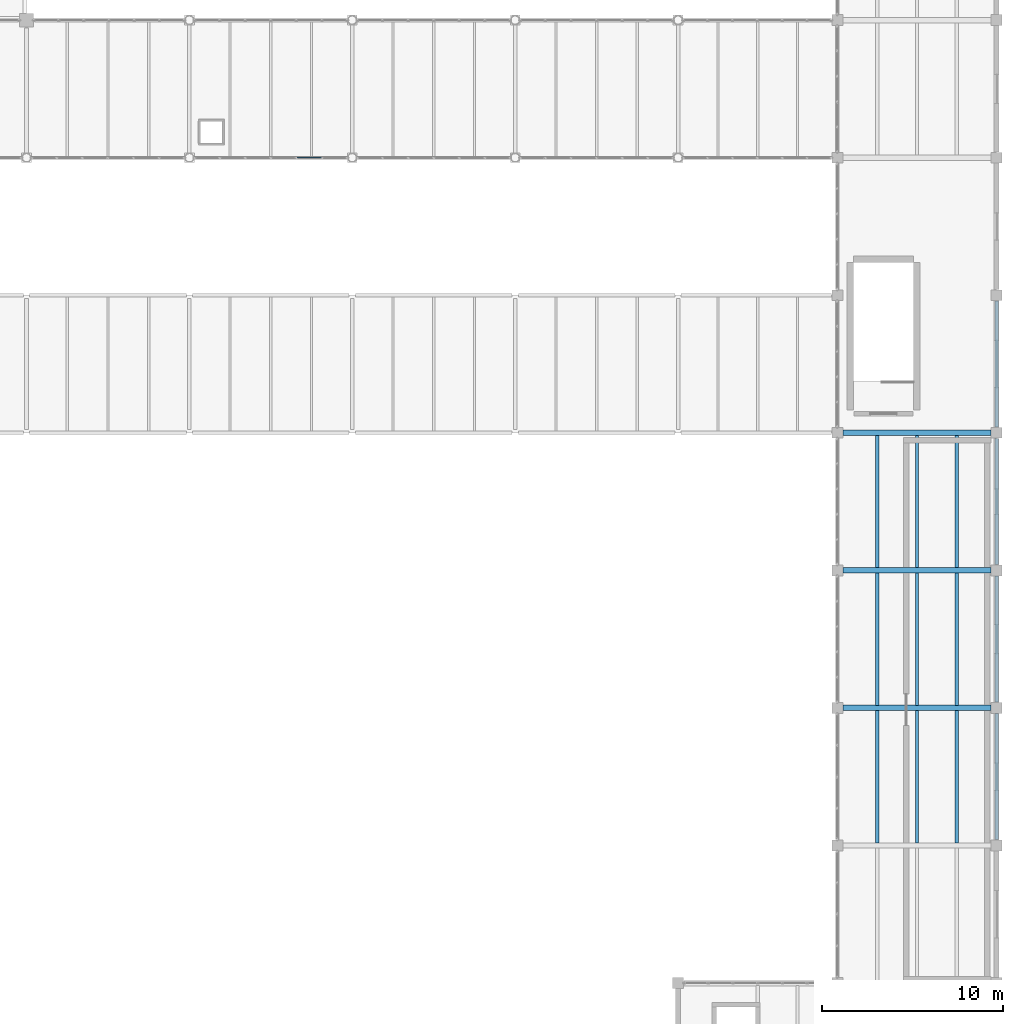
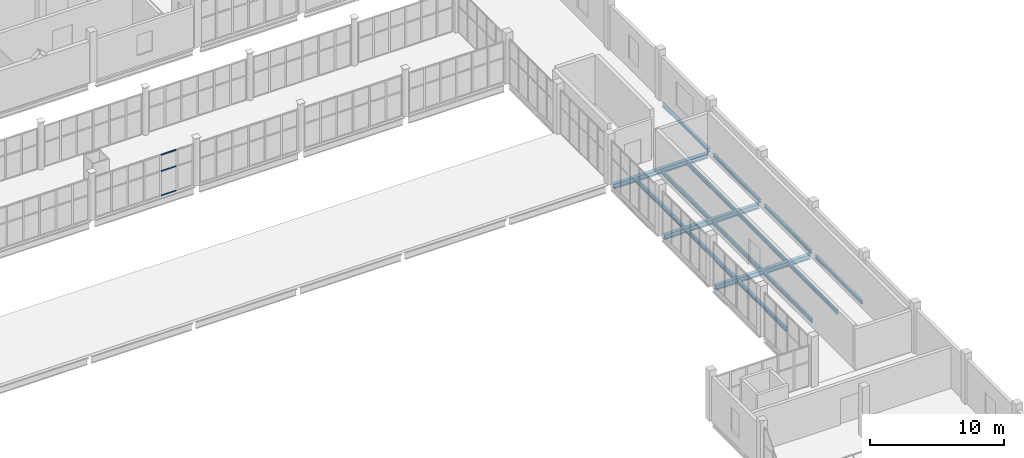
# One storey, part 79 of 136: 16 beams, 3 members, 1 element without a shape of its own.
"""IFC4 building model written with IfcOpenShell, lengths in metres."""

from ifc_helpers import new_model, si_unit, direction, frame, origin, origin_2d, place, context, subcontext, project, spatial, hollow_rectangle, i_section, extrude, material, material_profile, profile_set, type_object, element, aggregate, save


model = new_model("IFC4")

# Units and contexts
model_context = context("Model", 3, precision=1e-05, world=origin(), true_north=direction((0.0, 1.0)))
body_context = subcontext(model_context, "Body", "Model", "MODEL_VIEW")
ifc_project = project(units=[si_unit("LENGTHUNIT", "METRE"), si_unit("AREAUNIT", "SQUARE_METRE"), si_unit("VOLUMEUNIT", "CUBIC_METRE"), si_unit("PLANEANGLEUNIT", "RADIAN"), si_unit("MASSUNIT", "GRAM", prefix="KILO")], contexts=[model_context])

# Site, building, storey
site_placement = place(None, origin())
site = spatial("IfcSite", under=ifc_project, at=site_placement, CompositionType="ELEMENT")
building_placement = place(site_placement, origin())
building = spatial("IfcBuilding", under=site, at=building_placement, Name="Shengluoqiao Park Theatre", CompositionType="ELEMENT")
storey_placement = place(building_placement, frame((0.0, 0.0, 10.0)))
storey = spatial("IfcBuildingStorey", under=building, at=storey_placement, Name="L02", CompositionType="ELEMENT", Elevation=10.0)

# Curtain wall, members
ifc_material_1 = material(Name="Aluminium 6063-T6", Category="aluminium")
curtain_wall_type = type_object("IfcCurtainWallType", Name="ENV-CW-BRIDGE", PredefinedType="NOTDEFINED", material=ifc_material_1)
curtain_wall_placement = place(storey_placement, origin())
curtain_wall = element("IfcCurtainWall", 1, at=curtain_wall_placement, inside=storey, type_object=curtain_wall_type, Name="L02 Curtain Wall CWX-L02-0111", PredefinedType="NOTDEFINED")
ifc_material_profile_1 = material_profile(ifc_material_1, hollow_rectangle(XDim=0.06005859375, YDim=0.1201171875, WallThickness=0.00390625, InnerFilletRadius=0.00390625, OuterFilletRadius=0.008056640625, at=origin_2d()), Name="ALU TRANSOM 120x60x4")
ifc_profile_set_1 = profile_set([ifc_material_profile_1], Name="Aluminium 6063-T6")
member_type = type_object("IfcMemberType", Name="ENV-TRN-120", PredefinedType="USERDEFINED", material=ifc_profile_set_1)
member_1_placement = place(storey_placement, frame((127.343994140625, 68.39990234375, 0.030029296875), z_axis=(1.0, 0.0, 0.0), x_axis=(0.0, 1.0, 0.0)))
member_1 = element("IfcMember", 2, at=member_1_placement, type_object=member_type, Name="CW-03 transom 5.1", ObjectType="TRANSOM", PredefinedType="USERDEFINED", context=body_context, shape_type="SweptSolid", body=[
    extrude(hollow_rectangle(XDim=0.06005859375, YDim=0.1201171875, WallThickness=0.00390625, InnerFilletRadius=0.00390625, OuterFilletRadius=0.008056640625, at=origin_2d()), origin(), (0.0, 0.0, 1.0), 1.35400390625),
])
member_2_placement = place(storey_placement, frame((127.343994140625, 68.39990234375, 2.2509765625), z_axis=(1.0, 0.0, 0.0), x_axis=(0.0, 1.0, 0.0)))
member_2 = element("IfcMember", 3, at=member_2_placement, type_object=member_type, Name="CW-03 transom 5.2", ObjectType="TRANSOM", PredefinedType="USERDEFINED", context=body_context, shape_type="SweptSolid", body=[
    extrude(hollow_rectangle(XDim=0.06005859375, YDim=0.1201171875, WallThickness=0.00390625, InnerFilletRadius=0.00390625, OuterFilletRadius=0.008056640625, at=origin_2d()), origin(), (0.0, 0.0, 1.0), 1.35400390625),
])
member_3_placement = place(storey_placement, frame((127.343994140625, 68.39990234375, 3.721923828125), z_axis=(1.0, 0.0, 0.0), x_axis=(0.0, 1.0, 0.0)))
member_3 = element("IfcMember", 4, at=member_3_placement, type_object=member_type, Name="CW-03 transom 5.3", ObjectType="TRANSOM", PredefinedType="USERDEFINED", context=body_context, shape_type="SweptSolid", body=[
    extrude(hollow_rectangle(XDim=0.06005859375, YDim=0.1201171875, WallThickness=0.00390625, InnerFilletRadius=0.00390625, OuterFilletRadius=0.008056640625, at=origin_2d()), origin(), (0.0, 0.0, 1.0), 1.35400390625),
])
aggregate(curtain_wall, [member_1, member_2, member_3])

# Beams
ifc_material_2 = material(Name="Steel Q355", Category="steel")
ifc_material_profile_2 = material_profile(ifc_material_2, i_section(OverallWidth=0.199951171875, OverallDepth=0.2939453125, WebThickness=0.008056640625, FlangeThickness=0.011962890625, FilletRadius=0.01611328125, at=origin_2d()), Name="HM 294x200x8x12")
ifc_profile_set_2 = profile_set([ifc_material_profile_2], Name="Steel Q355")
beam_type_1 = type_object("IfcBeamType", Name="STR-BM-G-HM294", PredefinedType="BEAM", material=ifc_profile_set_2)
for number, where, z_axis, x_axis, name in (
    (5, (166.0, 30.718994140625, -0.386962890625), (0.0, 1.0, 0.0), (-1.0, 0.0, 0.0), "L02 Transverse Girder 01160"),
    (6, (166.0, 38.319091796875, -0.386962890625), (0.0, 1.0, 0.0), (-1.0, 0.0, 0.0), "L02 Transverse Girder 01161"),
):
    element("IfcBeam", number, at=place(storey_placement, frame(where, z_axis=z_axis, x_axis=x_axis)), inside=storey, type_object=beam_type_1, Name=name, PredefinedType="BEAM", context=body_context, shape_type="SweptSolid", body=[
        extrude(i_section(OverallWidth=0.199951171875, OverallDepth=0.2939453125, WebThickness=0.008056640625, FlangeThickness=0.011962890625, FilletRadius=0.01611328125, at=origin_2d()), origin(), (0.0, 0.0, 1.0), 6.9619140625),
    ])
beam_1_placement = place(storey_placement, frame((166.0, 45.9189453125, -0.386962890625), z_axis=(0.0, 1.0, 0.0), x_axis=(-1.0, 0.0, 0.0)))
element("IfcBeam", 7, at=beam_1_placement, inside=storey, type_object=beam_type_1, Name="L02 Transverse Girder 01162", PredefinedType="BEAM", context=body_context, shape_type="SweptSolid", body=[
    extrude(i_section(OverallWidth=0.199951171875, OverallDepth=0.2939453125, WebThickness=0.008056640625, FlangeThickness=0.011962890625, FilletRadius=0.01611328125, at=origin_2d()), origin(), (0.0, 0.0, 1.0), 6.962158203125),
])
beam_2_placement = place(storey_placement, frame((166.0, 53.51904296875, -0.386962890625), z_axis=(0.0, 1.0, 0.0), x_axis=(-1.0, 0.0, 0.0)))
element("IfcBeam", 8, at=beam_2_placement, inside=storey, type_object=beam_type_1, Name="L02 Transverse Girder 01163", PredefinedType="BEAM", context=body_context, shape_type="SweptSolid", body=[
    extrude(i_section(OverallWidth=0.199951171875, OverallDepth=0.2939453125, WebThickness=0.008056640625, FlangeThickness=0.011962890625, FilletRadius=0.01611328125, at=origin_2d()), origin(), (0.0, 0.0, 1.0), 6.9619140625),
])
ifc_material_profile_3 = material_profile(ifc_material_2, i_section(OverallWidth=0.300048828125, OverallDepth=0.43994140625, WebThickness=0.010986328125, FlangeThickness=0.01806640625, FilletRadius=0.02001953125, at=origin_2d()), Name="HM 440x300x11x18")
ifc_profile_set_3 = profile_set([ifc_material_profile_3], Name="Steel Q355")
beam_type_2 = type_object("IfcBeamType", Name="STR-BM-G-HM440", PredefinedType="BEAM", material=ifc_profile_set_3)
for number, where, z_axis, x_axis, name in (
    (9, (157.51904296875, 38.0, -0.4599609375), (1.0, 0.0, 0.0), (0.0, 1.0, 0.0), "L02 Primary Girder 01147"),
    (10, (157.51904296875, 45.60009765625, -0.4599609375), (1.0, 0.0, 0.0), (0.0, 1.0, 0.0), "L02 Primary Girder 01148"),
    (11, (157.51904296875, 53.199951171875, -0.4599609375), (1.0, 0.0, 0.0), (0.0, 1.0, 0.0), "L02 Primary Girder 01149"),
):
    element("IfcBeam", number, at=place(storey_placement, frame(where, z_axis=z_axis, x_axis=x_axis)), inside=storey, type_object=beam_type_2, Name=name, PredefinedType="BEAM", context=body_context, shape_type="SweptSolid", body=[
        extrude(i_section(OverallWidth=0.300048828125, OverallDepth=0.43994140625, WebThickness=0.010986328125, FlangeThickness=0.01806640625, FilletRadius=0.02001953125, at=origin_2d()), origin(), (0.0, 0.0, 1.0), 8.161865234375),
    ])
ifc_material_profile_4 = material_profile(ifc_material_2, i_section(OverallWidth=0.175048828125, OverallDepth=0.35009765625, WebThickness=0.007080078125, FlangeThickness=0.010986328125, FilletRadius=0.013916015625, at=origin_2d()), Name="HN 350x175x7x11")
ifc_profile_set_4 = profile_set([ifc_material_profile_4], Name="Steel Q355")
beam_type_3 = type_object("IfcBeamType", Name="STR-BM-J-HN350", PredefinedType="JOIST", material=ifc_profile_set_4)
for number, where, z_axis, x_axis, name in (
    (12, (159.39990234375, 30.544921875, -0.4150390625), (0.0, 1.0, 0.0), (-1.0, 0.0, 0.0), "L02 Composite Joist 01170"),
    (13, (161.60009765625, 30.544921875, -0.4150390625), (0.0, 1.0, 0.0), (-1.0, 0.0, 0.0), "L02 Composite Joist 01171"),
    (14, (163.800048828125, 30.544921875, -0.4150390625), (0.0, 1.0, 0.0), (-1.0, 0.0, 0.0), "L02 Composite Joist 01172"),
    (15, (159.39990234375, 38.14501953125, -0.4150390625), (0.0, 1.0, 0.0), (-1.0, 0.0, 0.0), "L02 Composite Joist 01173"),
    (16, (161.60009765625, 38.14501953125, -0.4150390625), (0.0, 1.0, 0.0), (-1.0, 0.0, 0.0), "L02 Composite Joist 01174"),
    (17, (163.800048828125, 38.14501953125, -0.4150390625), (0.0, 1.0, 0.0), (-1.0, 0.0, 0.0), "L02 Composite Joist 01175"),
):
    element("IfcBeam", number, at=place(storey_placement, frame(where, z_axis=z_axis, x_axis=x_axis)), inside=storey, type_object=beam_type_3, Name=name, PredefinedType="JOIST", context=body_context, shape_type="SweptSolid", body=[
        extrude(i_section(OverallWidth=0.175048828125, OverallDepth=0.35009765625, WebThickness=0.007080078125, FlangeThickness=0.010986328125, FilletRadius=0.013916015625, at=origin_2d()), origin(), (0.0, 0.0, 1.0), 7.31005859375),
    ])
for number, where, z_axis, x_axis, name in (
    (18, (159.39990234375, 45.7451171875, -0.4150390625), (0.0, 1.0, 0.0), (-1.0, 0.0, 0.0), "L02 Composite Joist 01176"),
    (19, (161.60009765625, 45.7451171875, -0.4150390625), (0.0, 1.0, 0.0), (-1.0, 0.0, 0.0), "L02 Composite Joist 01177"),
    (20, (163.800048828125, 45.7451171875, -0.4150390625), (0.0, 1.0, 0.0), (-1.0, 0.0, 0.0), "L02 Composite Joist 01178"),
):
    element("IfcBeam", number, at=place(storey_placement, frame(where, z_axis=z_axis, x_axis=x_axis)), inside=storey, type_object=beam_type_3, Name=name, PredefinedType="JOIST", context=body_context, shape_type="SweptSolid", body=[
        extrude(i_section(OverallWidth=0.175048828125, OverallDepth=0.35009765625, WebThickness=0.007080078125, FlangeThickness=0.010986328125, FilletRadius=0.013916015625, at=origin_2d()), origin(), (0.0, 0.0, 1.0), 7.309814453125),
    ])

save(model, "model.ifc")
